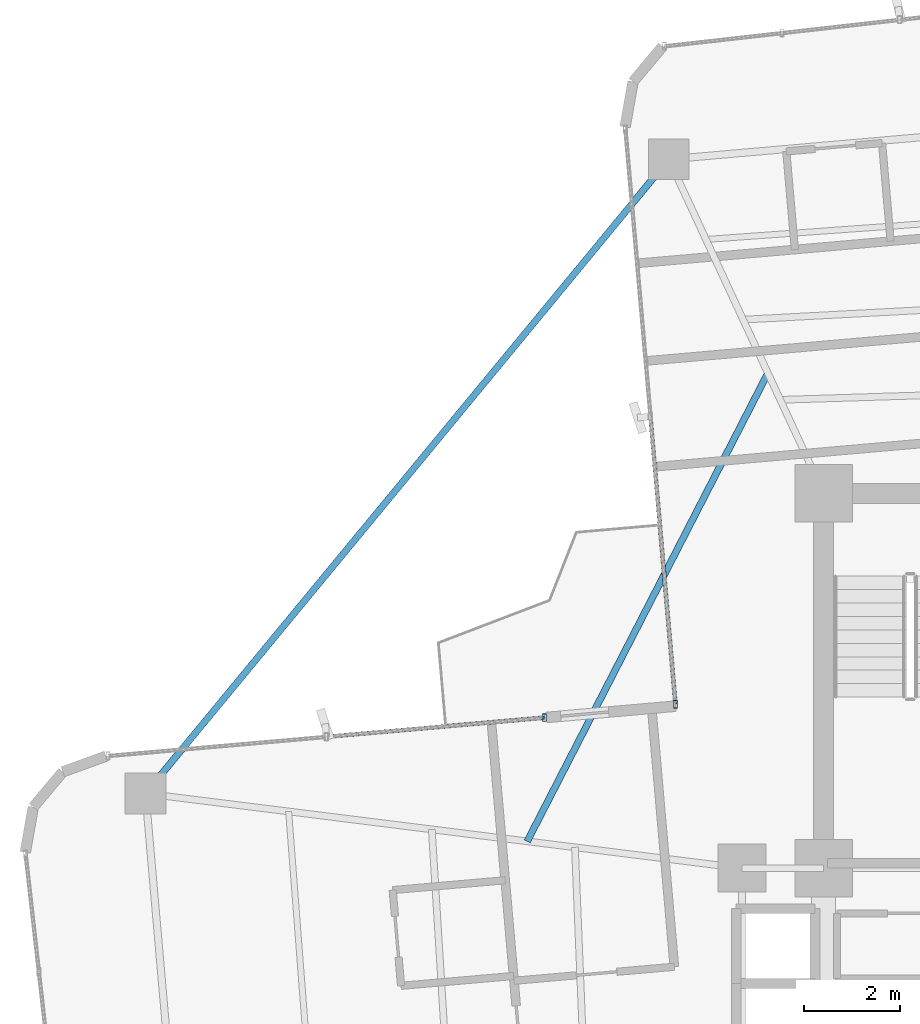
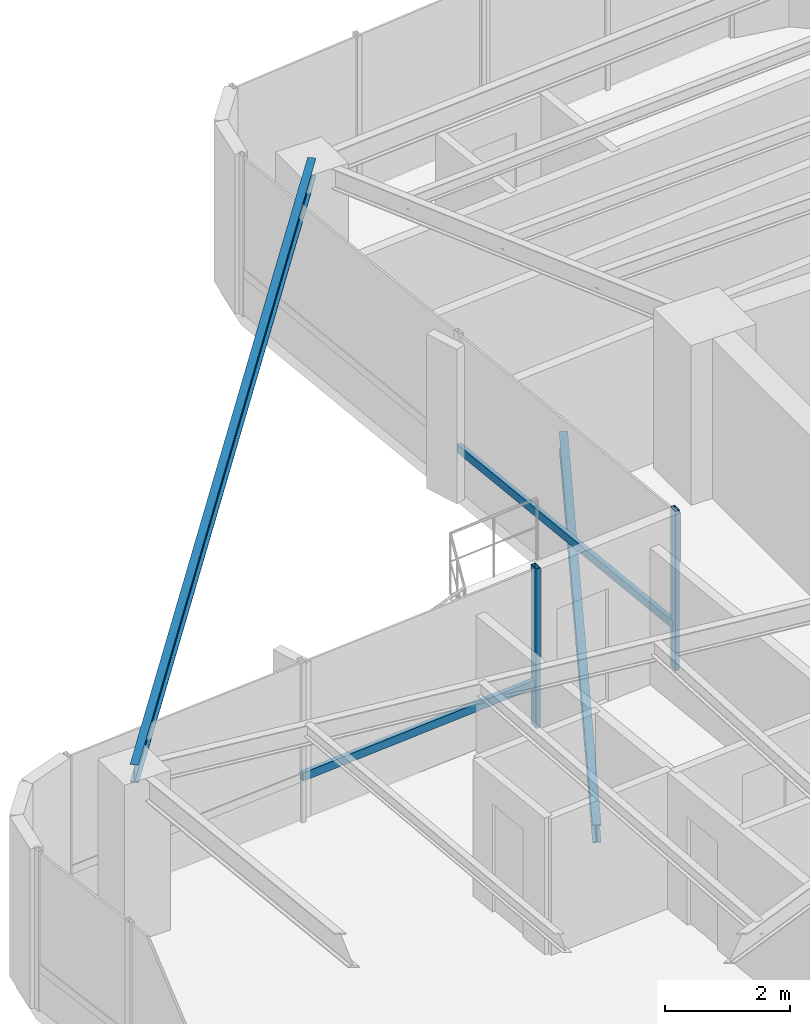
# One storey, part 10 of 24: 4 members, 2 beams, 2 elements without a shape of their own.
"""IFC4 building model written with IfcOpenShell, lengths in metres."""

from ifc_helpers import new_model, si_unit, direction, frame, origin, origin_2d, place, context, subcontext, project, spatial, hollow_rectangle, i_section, extrude, source, transform, mapped, material, material_profile, profile_set, type_object, element, aggregate, save


model = new_model("IFC4")

# Units and contexts
model_context = context("Model", 3, precision=1e-05, world=origin(), true_north=direction((0.0, 1.0)))
body_context = subcontext(model_context, "Body", "Model", "MODEL_VIEW")
ifc_project = project(units=[si_unit("LENGTHUNIT", "METRE"), si_unit("AREAUNIT", "SQUARE_METRE"), si_unit("VOLUMEUNIT", "CUBIC_METRE"), si_unit("PLANEANGLEUNIT", "RADIAN"), si_unit("MASSUNIT", "GRAM", prefix="KILO")], contexts=[model_context])

# Site, building, storey
site_placement = place(None, origin())
site = spatial("IfcSite", under=ifc_project, at=site_placement, CompositionType="ELEMENT")
building_placement = place(site_placement, origin())
building = spatial("IfcBuilding", under=site, at=building_placement, Name="Sahyath Konkavel Grand Hotel", CompositionType="ELEMENT")
storey_placement = place(building_placement, frame((0.0, 0.0, 191.949951171875)))
storey = spatial("IfcBuildingStorey", under=building, at=storey_placement, Name="L53", CompositionType="ELEMENT", Elevation=191.949951171875)

# Beam
ifc_material_1 = material(Name="Steel E350", Category="steel")
ifc_material_profile_1 = material_profile(ifc_material_1, i_section(OverallWidth=0.139892578125, OverallDepth=0.35009765625, WebThickness=0.008056640625, FlangeThickness=0.01416015625, FilletRadius=0.013916015625, at=origin_2d()), Name="ISMB 350")
ifc_profile_set_1 = profile_set([ifc_material_profile_1], Name="Steel E350")
beam_type_1 = type_object("IfcBeamType", Name="BM-ISMB350", PredefinedType="BEAM", material=ifc_profile_set_1)
shared_shape_1 = source(origin(), body_context, "Body", "SweptSolid", [
    extrude(i_section(OverallWidth=0.139892578125, OverallDepth=0.35009765625, WebThickness=0.008056640625, FlangeThickness=0.01416015625, FilletRadius=0.013916015625, at=origin_2d()), origin(), (0.0, 0.0, 1.0), 17.112548828125),
])
beam_1_placement = place(storey_placement, frame((-7.021728515625, 17.1533203125, 2.93505859375), z_axis=(-0.636437070092, -0.77132863023, 0.0), x_axis=(0.77132863023, -0.636437070092, 0.0)))
element("IfcBeam", 1, at=beam_1_placement, inside=storey, type_object=beam_type_1, Name="L53 Re-Entrant Tie Beam NW", PredefinedType="BEAM", context=body_context, shape_type="MappedRepresentation", body=[
    mapped(shared_shape_1, transform((0.0, 0.0, 0.0), scale=1.0)),
])

# Curtain wall, member
ifc_material_2 = material(Name="Anodised Bronze Aluminium & Low-E Glazing", Category="aluminium")
curtain_wall_type = type_object("IfcCurtainWallType", Name="CW-ZONE3", PredefinedType="NOTDEFINED", material=ifc_material_2)
curtain_wall_1_placement = place(storey_placement, origin())
curtain_wall_1 = element("IfcCurtainWall", 2, at=curtain_wall_1_placement, inside=storey, type_object=curtain_wall_type, Name="L53 Unitised Curtain Wall F15", PredefinedType="NOTDEFINED")
ifc_material_3 = material(Name="Anodised Bronze Aluminium", Category="aluminium")
ifc_material_profile_2 = material_profile(ifc_material_3, hollow_rectangle(XDim=0.080078125, YDim=0.159912109375, WallThickness=0.006103515625, at=origin_2d()), Name="RHS 160x80x6")
ifc_profile_set_2 = profile_set([ifc_material_profile_2], Name="Anodised Bronze Aluminium")
member_type_1 = type_object("IfcMemberType", Name="CW-MUL-160", PredefinedType="MULLION", material=ifc_profile_set_2)
shared_shape_2 = source(origin(), body_context, "Body", "SweptSolid", [
    extrude(hollow_rectangle(XDim=0.080078125, YDim=0.159912109375, WallThickness=0.006103515625, at=origin_2d()), origin(), (0.0, 0.0, 1.0), 3.110107421875),
])
member_1_placement = place(storey_placement, frame((-6.8828125, 5.812255859375, 0.0), z_axis=(0.0, 0.0, 1.0), x_axis=(1.0, 0.0, 0.0)))
member_1 = element("IfcMember", 3, at=member_1_placement, type_object=member_type_1, Name="L53 Curtain Wall Mullion F15-2", PredefinedType="MULLION", context=body_context, shape_type="MappedRepresentation", body=[
    mapped(shared_shape_2, transform((0.0, 0.0, 0.0), scale=1.0)),
])

# Curtain wall, members
curtain_wall_2_placement = place(storey_placement, origin())
curtain_wall_2 = element("IfcCurtainWall", 4, at=curtain_wall_2_placement, inside=storey, type_object=curtain_wall_type, Name="L53 Unitised Curtain Wall F16", PredefinedType="NOTDEFINED")
member_2_placement = place(storey_placement, frame((-9.60888671875, 5.53369140625, 0.0), z_axis=(0.0, 0.0, 1.0), x_axis=(1.0, 0.0, 0.0)))
member_2 = element("IfcMember", 5, at=member_2_placement, type_object=member_type_1, Name="L53 Curtain Wall Mullion F16-0", PredefinedType="MULLION", context=body_context, shape_type="MappedRepresentation", body=[
    mapped(shared_shape_2, transform((0.0, 0.0, 0.0), scale=1.0)),
])
ifc_material_profile_3 = material_profile(ifc_material_3, hollow_rectangle(XDim=0.080078125, YDim=0.159912109375, WallThickness=0.006103515625, at=origin_2d()), Name="RHS 160x80x6")
ifc_profile_set_3 = profile_set([ifc_material_profile_3], Name="Anodised Bronze Aluminium")
member_type_2 = type_object("IfcMemberType", Name="CW-TRN-160", PredefinedType="USERDEFINED", material=ifc_profile_set_3)
shared_shape_3 = source(origin(), body_context, "Body", "SweptSolid", [
    extrude(hollow_rectangle(XDim=0.080078125, YDim=0.159912109375, WallThickness=0.006103515625, at=origin_2d()), origin(), (0.0, 0.0, 1.0), 4.56005859375),
])
member_3_placement = place(storey_placement, frame((-9.60888671875, 5.53369140625, 0.85009765625), z_axis=(-0.996189590376, -0.087214104516, 0.0), x_axis=(0.087214104516, -0.996189590376, 0.0)))
member_3 = element("IfcMember", 6, at=member_3_placement, type_object=member_type_2, Name="L53 Curtain Wall Transom F16-0-spandrel", ObjectType="TRANSOM", PredefinedType="USERDEFINED", context=body_context, shape_type="MappedRepresentation", body=[
    mapped(shared_shape_3, transform((0.0, 0.0, 0.0), scale=1.0)),
])
aggregate(curtain_wall_2, [member_2, member_3])

# Member
shared_shape_4 = source(origin(), body_context, "Body", "SweptSolid", [
    extrude(hollow_rectangle(XDim=0.080078125, YDim=0.159912109375, WallThickness=0.006103515625, at=origin_2d()), origin(), (0.0, 0.0, 1.0), 6.010009765625),
])
member_4_placement = place(storey_placement, frame((-7.406494140625, 11.79931640625, 0.85009765625), z_axis=(0.087136210597, -0.996196406741, 0.0), x_axis=(0.996196406741, 0.087136210597, 0.0)))
member_4 = element("IfcMember", 7, at=member_4_placement, type_object=member_type_2, Name="L53 Curtain Wall Transom F15-1-spandrel", ObjectType="TRANSOM", PredefinedType="USERDEFINED", context=body_context, shape_type="MappedRepresentation", body=[
    mapped(shared_shape_4, transform((0.0, 0.0, 0.0), scale=1.0)),
])

aggregate(curtain_wall_1, [member_1, member_4])

# Beam
ifc_material_profile_4 = material_profile(ifc_material_1, i_section(OverallWidth=0.139892578125, OverallDepth=0.35009765625, WebThickness=0.008056640625, FlangeThickness=0.01416015625, FilletRadius=0.013916015625, at=origin_2d()), Name="ISMB 350")
ifc_profile_set_4 = profile_set([ifc_material_profile_4], Name="Steel E350")
beam_type_2 = type_object("IfcBeamType", Name="BM-BALC-CANT", PredefinedType="BEAM", material=ifc_profile_set_4)
shared_shape_5 = source(origin(), body_context, "Body", "SweptSolid", [
    extrude(i_section(OverallWidth=0.139892578125, OverallDepth=0.35009765625, WebThickness=0.008056640625, FlangeThickness=0.01416015625, FilletRadius=0.013916015625, at=origin_2d()), origin(), (0.0, 0.0, 1.0), 10.95556640625),
])
beam_2_placement = place(storey_placement, frame((-4.959716796875, 12.703125, -0.4150390625), z_axis=(-0.457186878355, -0.889370652912, 0.0), x_axis=(0.889370652912, -0.457186878355, 0.0)))
element("IfcBeam", 8, at=beam_2_placement, inside=storey, type_object=beam_type_2, Name="L53 Balcony Cantilever Support Beam NW", PredefinedType="BEAM", context=body_context, shape_type="MappedRepresentation", body=[
    mapped(shared_shape_5, transform((0.0, 0.0, 0.0), scale=1.0)),
])

save(model, "model.ifc")
